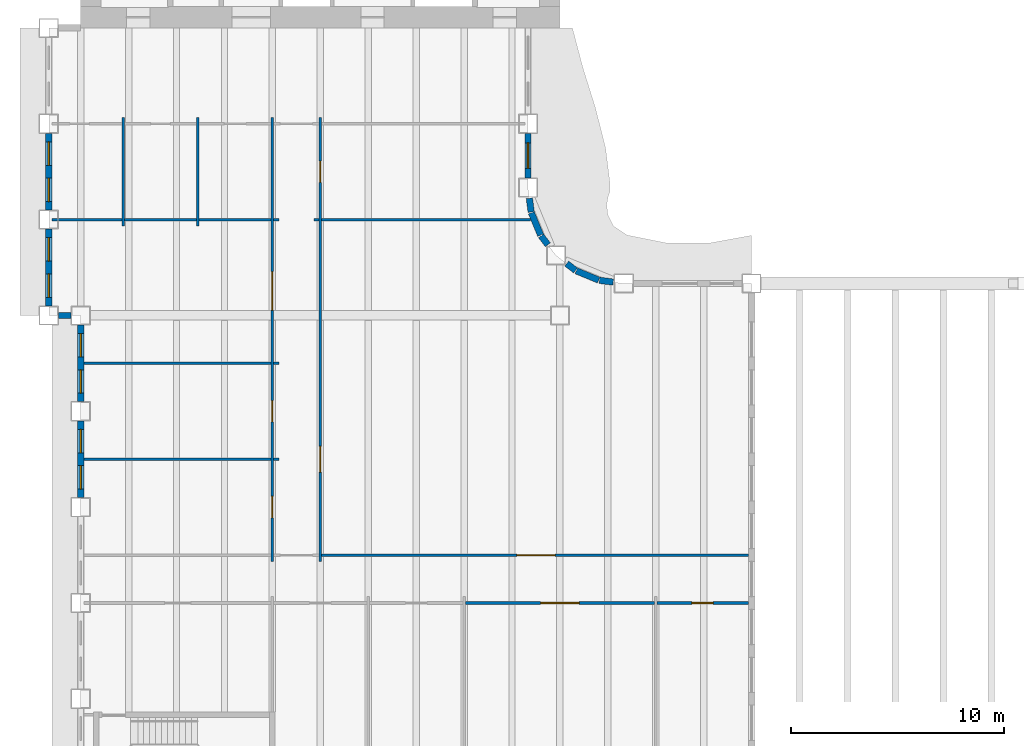
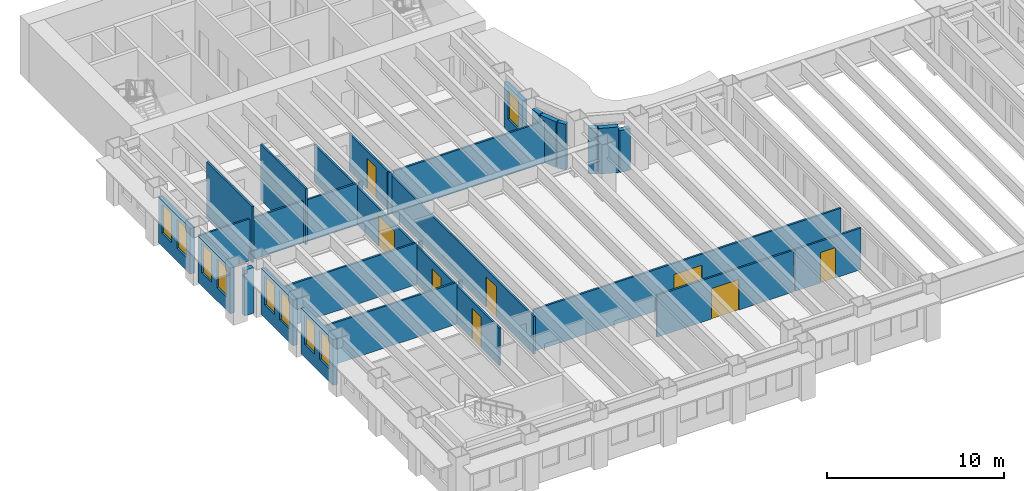
# One storey, part 4 of 13: 29 walls, 9 windows, 8 doors, 17 openings.
"""IFC4 building model written with IfcOpenShell, lengths in metres."""

from ifc_helpers import new_model, si_unit, direction, frame, frame_2d, origin, place, context, subcontext, project, spatial, rectangle, extrude, material, layer, layer_set, type_object, element, fill, save


model = new_model("IFC4")

# Units and contexts
model_context = context("Model", 3, precision=1e-05, world=origin(), true_north=direction((0.0, 1.0)))
body_context = subcontext(model_context, "Body", "Model", "MODEL_VIEW")
ifc_project = project(units=[si_unit("LENGTHUNIT", "METRE"), si_unit("AREAUNIT", "SQUARE_METRE"), si_unit("VOLUMEUNIT", "CUBIC_METRE"), si_unit("PLANEANGLEUNIT", "RADIAN"), si_unit("MASSUNIT", "GRAM", prefix="KILO")], contexts=[model_context])

# Site, building, storey
site_placement = place(None, origin())
site = spatial("IfcSite", under=ifc_project, at=site_placement, CompositionType="ELEMENT")
building_placement = place(site_placement, origin())
building = spatial("IfcBuilding", under=site, at=building_placement, Name="Sennacour Bend Tower", CompositionType="ELEMENT")
storey_placement = place(building_placement, frame((0.0, 0.0, 147.0)))
storey = spatial("IfcBuildingStorey", under=building, at=storey_placement, Name="L33", CompositionType="ELEMENT", Elevation=147.0)

# Walls
ifc_material_1 = material(Name="Plasterboard partition on steel studs", Category="steel")
ifc_layer_1 = layer(ifc_material_1, 0.1201171875, Name="Plasterboard partition on steel studs", Category="steel")
ifc_layer_set_1 = layer_set([ifc_layer_1], Name="Plasterboard partition on steel studs")
wall_type_1 = type_object("IfcWallType", Name="Partition 120", PredefinedType="PARTITIONING", material=ifc_layer_set_1)
for number, where, z_axis, x_axis, name in (
    (1, (2.0, 26.699951171875, 0.0), (0.0, 0.0, 1.0), (0.0, 1.0, 0.0), "P-L33-W004a"),
    (2, (5.5, 26.699951171875, 0.0), (0.0, 0.0, 1.0), (0.0, 1.0, 0.0), "P-L33-W008a"),
):
    element("IfcWall", number, at=place(storey_placement, frame(where, z_axis=z_axis, x_axis=x_axis)), inside=storey, type_object=wall_type_1, Name=name, PredefinedType="PARTITIONING", context=body_context, shape_type="SweptSolid", body=[
        extrude(rectangle(XDim=5.10009765625, YDim=0.1201171875, at=frame_2d((2.550048828125, 0.0))), origin(), (0.0, 0.0, 1.0), 3.85009765625),
    ])

# Wall, openings, doors
wall_1_placement = place(storey_placement, frame((9.0, 10.949951171875, 0.0), z_axis=(0.0, 0.0, 1.0), x_axis=(0.0, 1.0, 0.0)))
wall_1 = element("IfcWall", 3, at=wall_1_placement, inside=storey, type_object=wall_type_1, Name="P-L33-W013a", PredefinedType="PARTITIONING", context=body_context, shape_type="SweptSolid", body=[
    extrude(rectangle(XDim=20.85009765625, YDim=0.1201171875, at=frame_2d((10.425048828125, 0.0))), origin(), (0.0, 0.0, 1.0), 2.60009765625),
])
opening_1_placement = place(wall_1_placement, frame((2.050048828125, 0.0, 0.0)))
opening_1 = element("IfcOpeningElement", 4, at=opening_1_placement, cuts=wall_1, Name="Opening OD2", PredefinedType="OPENING", context=body_context, shape_type="SweptSolid", body=[
    extrude(rectangle(XDim=1.0, YDim=2.10009765625, at=frame_2d((0.5, 1.050048828125))), frame((0.0, 0.070068359375, 0.0), z_axis=(0.0, -1.0, 0.0), x_axis=(1.0, 0.0, 0.0)), (0.0, 0.0, 1.0), 0.14013671875),
])
opening_2_placement = place(wall_1_placement, frame((6.550048828125, 0.0, 0.0)))
opening_2 = element("IfcOpeningElement", 5, at=opening_2_placement, cuts=wall_1, Name="Opening OD2", PredefinedType="OPENING", context=body_context, shape_type="SweptSolid", body=[
    extrude(rectangle(XDim=1.0, YDim=2.10009765625, at=frame_2d((0.5, 1.050048828125))), frame((0.0, 0.070068359375, 0.0), z_axis=(0.0, -1.0, 0.0), x_axis=(1.0, 0.0, 0.0)), (0.0, 0.0, 1.0), 0.14013671875),
])
opening_3_placement = place(wall_1_placement, frame((11.804931640625, 0.0, 0.0)))
opening_3 = element("IfcOpeningElement", 6, at=opening_3_placement, cuts=wall_1, Name="Opening OD3", PredefinedType="OPENING", context=body_context, shape_type="SweptSolid", body=[
    extrude(rectangle(XDim=1.800048828125, YDim=2.10009765625, at=frame_2d((0.89990234375, 1.050048828125))), frame((0.0, 0.070068359375, 0.0), z_axis=(0.0, -1.0, 0.0), x_axis=(1.0, 0.0, 0.0)), (0.0, 0.0, 1.0), 0.14013671875),
])
ifc_material_2 = material(Name="Timber", Category="wood")
door_type_1 = type_object("IfcDoorType", Name="DR-OFFICE-1000", OperationType="NOTDEFINED", PredefinedType="DOOR", material=ifc_material_2)
door_1_placement = place(opening_1_placement, origin())
door_1 = element("IfcDoor", 7, at=door_1_placement, inside=storey, type_object=door_type_1, Name="Door", OperationType="SINGLE_SWING_LEFT", OverallHeight=2.10009765625, OverallWidth=1.0, PredefinedType="DOOR", context=body_context, shape_type="SweptSolid", body=[
    extrude(rectangle(XDim=1.0, YDim=2.10009765625, at=frame_2d((0.5, 1.050048828125))), frame((0.0, 0.02490234375, 0.0), z_axis=(0.0, -1.0, 0.0), x_axis=(1.0, 0.0, 0.0)), (0.0, 0.0, 1.0), 0.050048828125),
])
fill(opening_1, door_1)
door_2_placement = place(opening_2_placement, origin())
door_2 = element("IfcDoor", 8, at=door_2_placement, inside=storey, type_object=door_type_1, Name="Door", OperationType="SINGLE_SWING_LEFT", OverallHeight=2.10009765625, OverallWidth=1.0, PredefinedType="DOOR", context=body_context, shape_type="SweptSolid", body=[
    extrude(rectangle(XDim=1.0, YDim=2.10009765625, at=frame_2d((0.5, 1.050048828125))), frame((0.0, 0.02490234375, 0.0), z_axis=(0.0, -1.0, 0.0), x_axis=(1.0, 0.0, 0.0)), (0.0, 0.0, 1.0), 0.050048828125),
])
fill(opening_2, door_2)
door_type_2 = type_object("IfcDoorType", Name="DR-OFFICE-1800", OperationType="NOTDEFINED", PredefinedType="DOOR", material=ifc_material_2)
door_3_placement = place(opening_3_placement, origin())
door_3 = element("IfcDoor", 9, at=door_3_placement, inside=storey, type_object=door_type_2, Name="Door", OperationType="DOUBLE_DOOR_SINGLE_SWING", OverallHeight=2.10009765625, OverallWidth=1.800048828125, PredefinedType="DOOR", context=body_context, shape_type="SweptSolid", body=[
    extrude(rectangle(XDim=1.800048828125, YDim=2.10009765625, at=frame_2d((0.89990234375, 1.050048828125))), frame((0.0, 0.02490234375, 0.0), z_axis=(0.0, -1.0, 0.0), x_axis=(1.0, 0.0, 0.0)), (0.0, 0.0, 1.0), 0.050048828125),
])
fill(opening_3, door_3)

wall_2_placement = place(storey_placement, frame((11.25, 10.949951171875, 0.0), z_axis=(0.0, 0.0, 1.0), x_axis=(0.0, 1.0, 0.0)))
wall_2 = element("IfcWall", 10, at=wall_2_placement, inside=storey, type_object=wall_type_1, Name="P-L33-W016a", PredefinedType="PARTITIONING", context=body_context, shape_type="SweptSolid", body=[
    extrude(rectangle(XDim=20.85009765625, YDim=0.1201171875, at=frame_2d((10.425048828125, 0.0))), origin(), (0.0, 0.0, 1.0), 2.60009765625),
])
opening_4_placement = place(wall_2_placement, frame((17.800048828125, 0.0, 0.0)))
opening_4 = element("IfcOpeningElement", 11, at=opening_4_placement, cuts=wall_2, Name="Opening OD2", PredefinedType="OPENING", context=body_context, shape_type="SweptSolid", body=[
    extrude(rectangle(XDim=1.0, YDim=2.10009765625, at=frame_2d((0.5, 1.050048828125))), frame((0.0, 0.070068359375, 0.0), z_axis=(0.0, -1.0, 0.0), x_axis=(1.0, 0.0, 0.0)), (0.0, 0.0, 1.0), 0.14013671875),
])
opening_5_placement = place(wall_2_placement, frame((4.199951171875, 0.0, 0.0)))
opening_5 = element("IfcOpeningElement", 12, at=opening_5_placement, cuts=wall_2, Name="Opening OD", PredefinedType="OPENING", context=body_context, shape_type="SweptSolid", body=[
    extrude(rectangle(XDim=1.199951171875, YDim=2.10009765625, at=frame_2d((0.60009765625, 1.050048828125))), frame((0.0, 0.070068359375, 0.0), z_axis=(0.0, -1.0, 0.0), x_axis=(1.0, 0.0, 0.0)), (0.0, 0.0, 1.0), 0.14013671875),
])
door_4_placement = place(opening_4_placement, origin())
door_4 = element("IfcDoor", 13, at=door_4_placement, inside=storey, type_object=door_type_1, Name="Door", OperationType="SINGLE_SWING_RIGHT", OverallHeight=2.10009765625, OverallWidth=1.0, PredefinedType="DOOR", context=body_context, shape_type="SweptSolid", body=[
    extrude(rectangle(XDim=1.0, YDim=2.10009765625, at=frame_2d((0.5, 1.050048828125))), frame((0.0, 0.02490234375, 0.0), z_axis=(0.0, -1.0, 0.0), x_axis=(1.0, 0.0, 0.0)), (0.0, 0.0, 1.0), 0.050048828125),
])
fill(opening_4, door_4)
door_type_3 = type_object("IfcDoorType", Name="DR-OFFICE-1200", OperationType="NOTDEFINED", PredefinedType="DOOR", material=ifc_material_2)
door_5_placement = place(opening_5_placement, origin())
door_5 = element("IfcDoor", 14, at=door_5_placement, inside=storey, type_object=door_type_3, Name="Door", OperationType="SINGLE_SWING_LEFT", OverallHeight=2.10009765625, OverallWidth=1.199951171875, PredefinedType="DOOR", context=body_context, shape_type="SweptSolid", body=[
    extrude(rectangle(XDim=1.199951171875, YDim=2.10009765625, at=frame_2d((0.60009765625, 1.050048828125))), frame((0.0, 0.02490234375, 0.0), z_axis=(0.0, -1.0, 0.0), x_axis=(1.0, 0.0, 0.0)), (0.0, 0.0, 1.0), 0.050048828125),
])
fill(opening_5, door_5)

# Wall, opening, door
wall_3_placement = place(storey_placement, frame((18.06005859375, 9.0, 0.0), z_axis=(0.0, 0.0, 1.0), x_axis=(1.0, 0.0, 0.0)))
wall_3 = element("IfcWall", 15, at=wall_3_placement, inside=storey, type_object=wall_type_1, Name="P-L33-W056ad", PredefinedType="PARTITIONING", context=body_context, shape_type="SweptSolid", body=[
    extrude(rectangle(XDim=8.8798828125, YDim=0.1201171875, at=frame_2d((4.43994140625, 0.0))), origin(), (0.0, 0.0, 1.0), 2.8701171875),
])
opening_6_placement = place(wall_3_placement, frame((3.539794921875, 0.0, 0.0)))
opening_6 = element("IfcOpeningElement", 16, at=opening_6_placement, cuts=wall_3, Name="Opening OD3", PredefinedType="OPENING", context=body_context, shape_type="SweptSolid", body=[
    extrude(rectangle(XDim=1.800048828125, YDim=2.10009765625, at=frame_2d((0.89990234375, 1.050048828125))), frame((0.0, 0.070068359375, 0.0), z_axis=(0.0, -1.0, 0.0), x_axis=(1.0, 0.0, 0.0)), (0.0, 0.0, 1.0), 0.14013671875),
])
door_6_placement = place(opening_6_placement, origin())
door_6 = element("IfcDoor", 17, at=door_6_placement, inside=storey, type_object=door_type_2, Name="Door", OperationType="DOUBLE_DOOR_SINGLE_SWING", OverallHeight=2.10009765625, OverallWidth=1.800048828125, PredefinedType="DOOR", context=body_context, shape_type="SweptSolid", body=[
    extrude(rectangle(XDim=1.800048828125, YDim=2.10009765625, at=frame_2d((0.89990234375, 1.050048828125))), frame((0.0, 0.02490234375, 0.0), z_axis=(0.0, -1.0, 0.0), x_axis=(1.0, 0.0, 0.0)), (0.0, 0.0, 1.0), 0.050048828125),
])
fill(opening_6, door_6)

wall_4_placement = place(storey_placement, frame((27.06005859375, 9.0, 0.0), z_axis=(0.0, 0.0, 1.0), x_axis=(1.0, 0.0, 0.0)))
wall_4 = element("IfcWall", 18, at=wall_4_placement, inside=storey, type_object=wall_type_1, Name="P-L33-W056ae", PredefinedType="PARTITIONING", context=body_context, shape_type="SweptSolid", body=[
    extrude(rectangle(XDim=4.2900390625, YDim=0.1201171875, at=frame_2d((2.14501953125, 0.0))), origin(), (0.0, 0.0, 1.0), 2.8701171875),
])
opening_7_placement = place(wall_4_placement, frame((1.635009765625, 0.0, 0.0)))
opening_7 = element("IfcOpeningElement", 19, at=opening_7_placement, cuts=wall_4, Name="Opening OD2", PredefinedType="OPENING", context=body_context, shape_type="SweptSolid", body=[
    extrude(rectangle(XDim=1.0, YDim=2.10009765625, at=frame_2d((0.5, 1.050048828125))), frame((0.0, 0.070068359375, 0.0), z_axis=(0.0, -1.0, 0.0), x_axis=(1.0, 0.0, 0.0)), (0.0, 0.0, 1.0), 0.14013671875),
])
door_7_placement = place(opening_7_placement, origin())
door_7 = element("IfcDoor", 20, at=door_7_placement, inside=storey, type_object=door_type_1, Name="Door", OperationType="SINGLE_SWING_LEFT", OverallHeight=2.10009765625, OverallWidth=1.0, PredefinedType="DOOR", context=body_context, shape_type="SweptSolid", body=[
    extrude(rectangle(XDim=1.0, YDim=2.10009765625, at=frame_2d((0.5, 1.050048828125))), frame((0.0, 0.02490234375, 0.0), z_axis=(0.0, -1.0, 0.0), x_axis=(1.0, 0.0, 0.0)), (0.0, 0.0, 1.0), 0.050048828125),
])
fill(opening_7, door_7)

wall_5_placement = place(storey_placement, frame((11.31005859375, 11.25, 0.0), z_axis=(0.0, 0.0, 1.0), x_axis=(1.0, 0.0, 0.0)))
wall_5 = element("IfcWall", 21, at=wall_5_placement, inside=storey, type_object=wall_type_1, Name="P-L33-W060ac", PredefinedType="PARTITIONING", context=body_context, shape_type="SweptSolid", body=[
    extrude(rectangle(XDim=20.0400390625, YDim=0.1201171875, at=frame_2d((10.02001953125, 0.0))), origin(), (0.0, 0.0, 1.0), 2.8701171875),
])
opening_8_placement = place(wall_5_placement, frame((9.164794921875, 0.0, 0.0)))
opening_8 = element("IfcOpeningElement", 22, at=opening_8_placement, cuts=wall_5, Name="Opening OD3", PredefinedType="OPENING", context=body_context, shape_type="SweptSolid", body=[
    extrude(rectangle(XDim=1.800048828125, YDim=2.10009765625, at=frame_2d((0.89990234375, 1.050048828125))), frame((0.0, 0.070068359375, 0.0), z_axis=(0.0, -1.0, 0.0), x_axis=(1.0, 0.0, 0.0)), (0.0, 0.0, 1.0), 0.14013671875),
])
door_8_placement = place(opening_8_placement, origin())
door_8 = element("IfcDoor", 23, at=door_8_placement, inside=storey, type_object=door_type_2, Name="Door", OperationType="DOUBLE_DOOR_SINGLE_SWING", OverallHeight=2.10009765625, OverallWidth=1.800048828125, PredefinedType="DOOR", context=body_context, shape_type="SweptSolid", body=[
    extrude(rectangle(XDim=1.800048828125, YDim=2.10009765625, at=frame_2d((0.89990234375, 1.050048828125))), frame((0.0, 0.02490234375, 0.0), z_axis=(0.0, -1.0, 0.0), x_axis=(1.0, 0.0, 0.0)), (0.0, 0.0, 1.0), 0.050048828125),
])
fill(opening_8, door_8)

# Walls
wall_6_placement = place(storey_placement, frame((0.14990234375, 15.75, 0.0), z_axis=(0.0, 0.0, 1.0), x_axis=(1.0, 0.0, 0.0)))
element("IfcWall", 24, at=wall_6_placement, inside=storey, type_object=wall_type_1, Name="P-L33-W065aa", PredefinedType="PARTITIONING", context=body_context, shape_type="SweptSolid", body=[
    extrude(rectangle(XDim=8.7900390625, YDim=0.1201171875, at=frame_2d((4.39501953125, 0.0))), origin(), (0.0, 0.0, 1.0), 2.8701171875),
])
wall_7_placement = place(storey_placement, frame((9.06005859375, 15.75, 0.0), z_axis=(0.0, 0.0, 1.0), x_axis=(1.0, 0.0, 0.0)))
element("IfcWall", 25, at=wall_7_placement, inside=storey, type_object=wall_type_1, Name="P-L33-W065ab", PredefinedType="PARTITIONING", context=body_context, shape_type="SweptSolid", body=[
    extrude(rectangle(XDim=0.239990234375, YDim=0.1201171875, at=frame_2d((0.1201171875, 0.0))), origin(), (0.0, 0.0, 1.0), 2.8701171875),
])
wall_8_placement = place(storey_placement, frame((0.14990234375, 20.25, 0.0), z_axis=(0.0, 0.0, 1.0), x_axis=(1.0, 0.0, 0.0)))
element("IfcWall", 26, at=wall_8_placement, inside=storey, type_object=wall_type_1, Name="P-L33-W070aa", PredefinedType="PARTITIONING", context=body_context, shape_type="SweptSolid", body=[
    extrude(rectangle(XDim=8.7900390625, YDim=0.1201171875, at=frame_2d((4.39501953125, 0.0))), origin(), (0.0, 0.0, 1.0), 2.8701171875),
])
wall_9_placement = place(storey_placement, frame((9.06005859375, 20.25, 0.0), z_axis=(0.0, 0.0, 1.0), x_axis=(1.0, 0.0, 0.0)))
element("IfcWall", 27, at=wall_9_placement, inside=storey, type_object=wall_type_1, Name="P-L33-W070ab", PredefinedType="PARTITIONING", context=body_context, shape_type="SweptSolid", body=[
    extrude(rectangle(XDim=0.239990234375, YDim=0.1201171875, at=frame_2d((0.1201171875, 0.0))), origin(), (0.0, 0.0, 1.0), 2.8701171875),
])
wall_10_placement = place(storey_placement, frame((-1.35009765625, 27.0, 0.0), z_axis=(0.0, 0.0, 1.0), x_axis=(1.0, 0.0, 0.0)))
element("IfcWall", 28, at=wall_10_placement, inside=storey, type_object=wall_type_1, Name="P-L33-W074aa", PredefinedType="PARTITIONING", context=body_context, shape_type="SweptSolid", body=[
    extrude(rectangle(XDim=3.2900390625, YDim=0.1201171875, at=frame_2d((1.64501953125, 0.0))), origin(), (0.0, 0.0, 1.0), 2.8701171875),
])
for number, where, z_axis, x_axis, name in (
    (29, (2.06005859375, 27.0, 0.0), (0.0, 0.0, 1.0), (1.0, 0.0, 0.0), "P-L33-W074ab"),
    (30, (5.56005859375, 27.0, 0.0), (0.0, 0.0, 1.0), (1.0, 0.0, 0.0), "P-L33-W074ac"),
):
    element("IfcWall", number, at=place(storey_placement, frame(where, z_axis=z_axis, x_axis=x_axis)), inside=storey, type_object=wall_type_1, Name=name, PredefinedType="PARTITIONING", context=body_context, shape_type="SweptSolid", body=[
        extrude(rectangle(XDim=3.3798828125, YDim=0.1201171875, at=frame_2d((1.68994140625, 0.0))), origin(), (0.0, 0.0, 1.0), 2.8701171875),
    ])
for number, where, z_axis, x_axis, name in (
    (31, (9.06005859375, 27.0, 0.0), (0.0, 0.0, 1.0), (1.0, 0.0, 0.0), "P-L33-W074ad"),
    (32, (10.949951171875, 27.0, 0.0), (0.0, 0.0, 1.0), (1.0, 0.0, 0.0), "P-L33-W075aa"),
):
    element("IfcWall", number, at=place(storey_placement, frame(where, z_axis=z_axis, x_axis=x_axis)), inside=storey, type_object=wall_type_1, Name=name, PredefinedType="PARTITIONING", context=body_context, shape_type="SweptSolid", body=[
        extrude(rectangle(XDim=0.239990234375, YDim=0.1201171875, at=frame_2d((0.1201171875, 0.0))), origin(), (0.0, 0.0, 1.0), 2.8701171875),
    ])
wall_11_placement = place(storey_placement, frame((11.31005859375, 27.0, 0.0), z_axis=(0.0, 0.0, 1.0), x_axis=(1.0, 0.0, 0.0)))
element("IfcWall", 33, at=wall_11_placement, inside=storey, type_object=wall_type_1, Name="P-L33-W075ab", PredefinedType="PARTITIONING", context=body_context, shape_type="SweptSolid", body=[
    extrude(rectangle(XDim=9.81982421875, YDim=0.1201171875, at=frame_2d((4.909912109375, 0.0))), origin(), (0.0, 0.0, 1.0), 2.8701171875),
])
ifc_material_3 = material(Name="Warm limestone cladding", Category="masonry")
ifc_layer_2 = layer(ifc_material_3, 0.050048828125, Name="Warm limestone cladding", Category="masonry")
ifc_material_4 = material(Name="Precast concrete C40/50", Category="concrete")
ifc_layer_3 = layer(ifc_material_4, 0.25, Name="Precast concrete C40/50", Category="concrete")
ifc_layer_set_2 = layer_set([ifc_layer_2, ifc_layer_3], Name="Precast concrete C40/50 with limestone cladding")
wall_type_2 = type_object("IfcWallType", Name="STONE-CLAD PRECAST SPANDREL 300", PredefinedType="STANDARD", material=ifc_layer_set_2)
wall_12_placement = place(storey_placement, frame((24.99951171875, 24.06591796875, 0.0), z_axis=(0.0, 0.0, 1.0), x_axis=(-0.991423590996, 0.130687655177, 0.0)))
element("IfcWall", 34, at=wall_12_placement, inside=storey, type_object=wall_type_2, Name="Stone spandrel and pier wall L33 09.00", PredefinedType="STANDARD", context=body_context, shape_type="SweptSolid", body=[
    extrude(rectangle(XDim=0.650146484375, YDim=0.300048828125, at=frame_2d((0.3251953125, 0.0))), origin(), (0.0, 0.0, 1.0), 2.8701171875),
])
wall_13_placement = place(storey_placement, frame((24.317138671875, 24.160888671875, 0.0), z_axis=(0.0, 0.0, 1.0), x_axis=(-0.923914616768, 0.382598720491, 0.0)))
element("IfcWall", 35, at=wall_13_placement, inside=storey, type_object=wall_type_2, Name="Stone spandrel and pier wall L33 10.00", PredefinedType="STANDARD", context=body_context, shape_type="SweptSolid", body=[
    extrude(rectangle(XDim=1.13525390625, YDim=0.300048828125, at=frame_2d((0.567626953125, 0.0))), origin(), (0.0, 0.0, 1.0), 3.14892578125),
])
for number, where, z_axis, x_axis, name in (
    (36, (23.234375, 24.614990234375, 0.0), (0.0, 0.0, 1.0), (-0.793523857856, 0.608539141726, 0.0), "Stone spandrel and pier wall L33 11.00"),
    (37, (21.933837890625, 25.818603515625, 0.0), (0.0, 0.0, 1.0), (-0.608539141726, 0.793523857856, 0.0), "Stone spandrel and pier wall L33 12.00"),
):
    element("IfcWall", number, at=place(storey_placement, frame(where, z_axis=z_axis, x_axis=x_axis)), inside=storey, type_object=wall_type_2, Name=name, PredefinedType="STANDARD", context=body_context, shape_type="SweptSolid", body=[
        extrude(rectangle(XDim=0.52392578125, YDim=0.300048828125, at=frame_2d((0.261962890625, 0.0))), origin(), (0.0, 0.0, 1.0), 3.14892578125),
    ])
wall_14_placement = place(storey_placement, frame((21.59521484375, 26.268310546875, 0.0), z_axis=(0.0, 0.0, 1.0), x_axis=(-0.382598720491, 0.923914616768, 0.0)))
element("IfcWall", 38, at=wall_14_placement, inside=storey, type_object=wall_type_2, Name="Stone spandrel and pier wall L33 13.00", PredefinedType="STANDARD", context=body_context, shape_type="SweptSolid", body=[
    extrude(rectangle(XDim=1.13525390625, YDim=0.300048828125, at=frame_2d((0.567626953125, 0.0))), origin(), (0.0, 0.0, 1.0), 3.14892578125),
])
wall_15_placement = place(storey_placement, frame((21.15087890625, 27.35498046875, 0.0), z_axis=(0.0, 0.0, 1.0), x_axis=(-0.130687655177, 0.991423590996, 0.0)))
element("IfcWall", 39, at=wall_15_placement, inside=storey, type_object=wall_type_2, Name="Stone spandrel and pier wall L33 14.00", PredefinedType="STANDARD", context=body_context, shape_type="SweptSolid", body=[
    extrude(rectangle(XDim=0.650146484375, YDim=0.300048828125, at=frame_2d((0.3251953125, 0.0))), origin(), (0.0, 0.0, 1.0), 3.14892578125),
])

# Wall, opening, window
wall_16_placement = place(storey_placement, frame((21.0, 28.949951171875, 0.0), z_axis=(0.0, 0.0, 1.0), x_axis=(0.0, 1.0, 0.0)))
wall_16 = element("IfcWall", 40, at=wall_16_placement, inside=storey, type_object=wall_type_2, Name="Stone spandrel and pier wall L33 15.00", PredefinedType="STANDARD", context=body_context, shape_type="SweptSolid", body=[
    extrude(rectangle(XDim=2.10009765625, YDim=0.300048828125, at=frame_2d((1.050048828125, 0.0))), origin(), (0.0, 0.0, 1.0), 3.14892578125),
])
opening_9_placement = place(wall_16_placement, frame((0.449951171875, 0.0, 0.89990234375)))
opening_9 = element("IfcOpeningElement", 41, at=opening_9_placement, cuts=wall_16, Name="Opening W14", PredefinedType="OPENING", context=body_context, shape_type="SweptSolid", body=[
    extrude(rectangle(XDim=1.199951171875, YDim=2.0, at=frame_2d((0.60009765625, 1.0))), frame((0.0, 0.16015625, 0.0), z_axis=(0.0, -1.0, 0.0), x_axis=(1.0, 0.0, 0.0)), (0.0, 0.0, 1.0), 0.320068359375),
])
ifc_material_5 = material(Name="Clear low-emissivity glass", Category="glass")
window_type_1 = type_object("IfcWindowType", Name="WIN-RIBBON-1200x2000", PartitioningType="SINGLE_PANEL", PredefinedType="WINDOW", material=ifc_material_5)
window_1_placement = place(opening_9_placement, origin())
window_1 = element("IfcWindow", 42, at=window_1_placement, inside=storey, type_object=window_type_1, Name="Ribbon window L33 15.00", OverallHeight=2.0, OverallWidth=1.199951171875, PartitioningType="SINGLE_PANEL", PredefinedType="WINDOW", context=body_context, shape_type="SweptSolid", body=[
    extrude(rectangle(XDim=1.199951171875, YDim=2.0, at=frame_2d((0.60009765625, 1.0))), frame((0.0, 0.030029296875, 0.0), z_axis=(0.0, -1.0, 0.0), x_axis=(1.0, 0.0, 0.0)), (0.0, 0.0, 1.0), 0.06005859375),
])
fill(opening_9, window_1)

# Wall, openings, windows
wall_17_placement = place(storey_placement, frame((-1.5, 31.050048828125, 0.0), z_axis=(0.0, 0.0, 1.0), x_axis=(0.0, -1.0, 0.0)))
wall_17 = element("IfcWall", 43, at=wall_17_placement, inside=storey, type_object=wall_type_2, Name="Stone spandrel and pier wall L33 21.01", PredefinedType="STANDARD", context=body_context, shape_type="SweptSolid", body=[
    extrude(rectangle(XDim=3.60009765625, YDim=0.300048828125, at=frame_2d((1.800048828125, 0.0))), origin(), (0.0, 0.0, 1.0), 3.14892578125),
])
opening_10_placement = place(wall_17_placement, frame((0.39990234375, 0.0, 0.89990234375)))
opening_10 = element("IfcOpeningElement", 44, at=opening_10_placement, cuts=wall_17, Name="Opening W19", PredefinedType="OPENING", context=body_context, shape_type="SweptSolid", body=[
    extrude(rectangle(XDim=1.10009765625, YDim=2.0, at=frame_2d((0.550048828125, 1.0))), frame((0.0, 0.16015625, 0.0), z_axis=(0.0, -1.0, 0.0), x_axis=(1.0, 0.0, 0.0)), (0.0, 0.0, 1.0), 0.320068359375),
])
opening_11_placement = place(wall_17_placement, frame((2.10009765625, 0.0, 0.89990234375)))
opening_11 = element("IfcOpeningElement", 45, at=opening_11_placement, cuts=wall_17, Name="Opening W19", PredefinedType="OPENING", context=body_context, shape_type="SweptSolid", body=[
    extrude(rectangle(XDim=1.10009765625, YDim=2.0, at=frame_2d((0.550048828125, 1.0))), frame((0.0, 0.16015625, 0.0), z_axis=(0.0, -1.0, 0.0), x_axis=(1.0, 0.0, 0.0)), (0.0, 0.0, 1.0), 0.320068359375),
])
window_type_2 = type_object("IfcWindowType", Name="WIN-RIBBON-1100x2000", PartitioningType="SINGLE_PANEL", PredefinedType="WINDOW", material=ifc_material_5)
window_2_placement = place(opening_10_placement, origin())
window_2 = element("IfcWindow", 46, at=window_2_placement, inside=storey, type_object=window_type_2, Name="Ribbon window L33 21.01.0", OverallHeight=2.0, OverallWidth=1.10009765625, PartitioningType="SINGLE_PANEL", PredefinedType="WINDOW", context=body_context, shape_type="SweptSolid", body=[
    extrude(rectangle(XDim=1.10009765625, YDim=2.0, at=frame_2d((0.550048828125, 1.0))), frame((0.0, 0.030029296875, 0.0), z_axis=(0.0, -1.0, 0.0), x_axis=(1.0, 0.0, 0.0)), (0.0, 0.0, 1.0), 0.06005859375),
])
fill(opening_10, window_2)
window_3_placement = place(opening_11_placement, origin())
window_3 = element("IfcWindow", 47, at=window_3_placement, inside=storey, type_object=window_type_2, Name="Ribbon window L33 21.01.1", OverallHeight=2.0, OverallWidth=1.10009765625, PartitioningType="SINGLE_PANEL", PredefinedType="WINDOW", context=body_context, shape_type="SweptSolid", body=[
    extrude(rectangle(XDim=1.10009765625, YDim=2.0, at=frame_2d((0.550048828125, 1.0))), frame((0.0, 0.030029296875, 0.0), z_axis=(0.0, -1.0, 0.0), x_axis=(1.0, 0.0, 0.0)), (0.0, 0.0, 1.0), 0.06005859375),
])
fill(opening_11, window_3)

wall_18_placement = place(storey_placement, frame((-1.5, 26.550048828125, 0.0), z_axis=(0.0, 0.0, 1.0), x_axis=(0.0, -1.0, 0.0)))
wall_18 = element("IfcWall", 48, at=wall_18_placement, inside=storey, type_object=wall_type_2, Name="Stone spandrel and pier wall L33 21.02", PredefinedType="STANDARD", context=body_context, shape_type="SweptSolid", body=[
    extrude(rectangle(XDim=3.60009765625, YDim=0.300048828125, at=frame_2d((1.800048828125, 0.0))), origin(), (0.0, 0.0, 1.0), 3.14892578125),
])
opening_12_placement = place(wall_18_placement, frame((0.39990234375, 0.0, 0.89990234375)))
opening_12 = element("IfcOpeningElement", 49, at=opening_12_placement, cuts=wall_18, Name="Opening W19", PredefinedType="OPENING", context=body_context, shape_type="SweptSolid", body=[
    extrude(rectangle(XDim=1.10009765625, YDim=2.0, at=frame_2d((0.550048828125, 1.0))), frame((0.0, 0.16015625, 0.0), z_axis=(0.0, -1.0, 0.0), x_axis=(1.0, 0.0, 0.0)), (0.0, 0.0, 1.0), 0.320068359375),
])
opening_13_placement = place(wall_18_placement, frame((2.10009765625, 0.0, 0.89990234375)))
opening_13 = element("IfcOpeningElement", 50, at=opening_13_placement, cuts=wall_18, Name="Opening W19", PredefinedType="OPENING", context=body_context, shape_type="SweptSolid", body=[
    extrude(rectangle(XDim=1.10009765625, YDim=2.0, at=frame_2d((0.550048828125, 1.0))), frame((0.0, 0.16015625, 0.0), z_axis=(0.0, -1.0, 0.0), x_axis=(1.0, 0.0, 0.0)), (0.0, 0.0, 1.0), 0.320068359375),
])
window_4_placement = place(opening_12_placement, origin())
window_4 = element("IfcWindow", 51, at=window_4_placement, inside=storey, type_object=window_type_2, Name="Ribbon window L33 21.02.0", OverallHeight=2.0, OverallWidth=1.10009765625, PartitioningType="SINGLE_PANEL", PredefinedType="WINDOW", context=body_context, shape_type="SweptSolid", body=[
    extrude(rectangle(XDim=1.10009765625, YDim=2.0, at=frame_2d((0.550048828125, 1.0))), frame((0.0, 0.030029296875, 0.0), z_axis=(0.0, -1.0, 0.0), x_axis=(1.0, 0.0, 0.0)), (0.0, 0.0, 1.0), 0.06005859375),
])
fill(opening_12, window_4)
window_5_placement = place(opening_13_placement, origin())
window_5 = element("IfcWindow", 52, at=window_5_placement, inside=storey, type_object=window_type_2, Name="Ribbon window L33 21.02.1", OverallHeight=2.0, OverallWidth=1.10009765625, PartitioningType="SINGLE_PANEL", PredefinedType="WINDOW", context=body_context, shape_type="SweptSolid", body=[
    extrude(rectangle(XDim=1.10009765625, YDim=2.0, at=frame_2d((0.550048828125, 1.0))), frame((0.0, 0.030029296875, 0.0), z_axis=(0.0, -1.0, 0.0), x_axis=(1.0, 0.0, 0.0)), (0.0, 0.0, 1.0), 0.06005859375),
])
fill(opening_13, window_5)

# Wall
wall_19_placement = place(storey_placement, frame((-1.050048828125, 22.5, 0.0), z_axis=(0.0, 0.0, 1.0), x_axis=(1.0, 0.0, 0.0)))
element("IfcWall", 53, at=wall_19_placement, inside=storey, type_object=wall_type_2, Name="Stone spandrel and pier wall L33 22.00", PredefinedType="STANDARD", context=body_context, shape_type="SweptSolid", body=[
    extrude(rectangle(XDim=0.60009765625, YDim=0.300048828125, at=frame_2d((0.300048828125, 0.0))), origin(), (0.0, 0.0, 1.0), 3.14892578125),
])

# Wall, openings, windows
wall_20_placement = place(storey_placement, frame((0.0, 22.050048828125, 0.0), z_axis=(0.0, 0.0, 1.0), x_axis=(0.0, -1.0, 0.0)))
wall_20 = element("IfcWall", 54, at=wall_20_placement, inside=storey, type_object=wall_type_2, Name="Stone spandrel and pier wall L33 23.00", PredefinedType="STANDARD", context=body_context, shape_type="SweptSolid", body=[
    extrude(rectangle(XDim=3.60009765625, YDim=0.300048828125, at=frame_2d((1.800048828125, 0.0))), origin(), (0.0, 0.0, 1.0), 3.14892578125),
])
opening_14_placement = place(wall_20_placement, frame((0.39990234375, 0.0, 0.89990234375)))
opening_14 = element("IfcOpeningElement", 55, at=opening_14_placement, cuts=wall_20, Name="Opening W19", PredefinedType="OPENING", context=body_context, shape_type="SweptSolid", body=[
    extrude(rectangle(XDim=1.10009765625, YDim=2.0, at=frame_2d((0.550048828125, 1.0))), frame((0.0, 0.16015625, 0.0), z_axis=(0.0, -1.0, 0.0), x_axis=(1.0, 0.0, 0.0)), (0.0, 0.0, 1.0), 0.320068359375),
])
opening_15_placement = place(wall_20_placement, frame((2.10009765625, 0.0, 0.89990234375)))
opening_15 = element("IfcOpeningElement", 56, at=opening_15_placement, cuts=wall_20, Name="Opening W19", PredefinedType="OPENING", context=body_context, shape_type="SweptSolid", body=[
    extrude(rectangle(XDim=1.10009765625, YDim=2.0, at=frame_2d((0.550048828125, 1.0))), frame((0.0, 0.16015625, 0.0), z_axis=(0.0, -1.0, 0.0), x_axis=(1.0, 0.0, 0.0)), (0.0, 0.0, 1.0), 0.320068359375),
])
window_6_placement = place(opening_14_placement, origin())
window_6 = element("IfcWindow", 57, at=window_6_placement, inside=storey, type_object=window_type_2, Name="Ribbon window L33 23.00.0", OverallHeight=2.0, OverallWidth=1.10009765625, PartitioningType="SINGLE_PANEL", PredefinedType="WINDOW", context=body_context, shape_type="SweptSolid", body=[
    extrude(rectangle(XDim=1.10009765625, YDim=2.0, at=frame_2d((0.550048828125, 1.0))), frame((0.0, 0.030029296875, 0.0), z_axis=(0.0, -1.0, 0.0), x_axis=(1.0, 0.0, 0.0)), (0.0, 0.0, 1.0), 0.06005859375),
])
fill(opening_14, window_6)
window_7_placement = place(opening_15_placement, origin())
window_7 = element("IfcWindow", 58, at=window_7_placement, inside=storey, type_object=window_type_2, Name="Ribbon window L33 23.00.1", OverallHeight=2.0, OverallWidth=1.10009765625, PartitioningType="SINGLE_PANEL", PredefinedType="WINDOW", context=body_context, shape_type="SweptSolid", body=[
    extrude(rectangle(XDim=1.10009765625, YDim=2.0, at=frame_2d((0.550048828125, 1.0))), frame((0.0, 0.030029296875, 0.0), z_axis=(0.0, -1.0, 0.0), x_axis=(1.0, 0.0, 0.0)), (0.0, 0.0, 1.0), 0.06005859375),
])
fill(opening_15, window_7)

wall_21_placement = place(storey_placement, frame((0.0, 17.550048828125, 0.0), z_axis=(0.0, 0.0, 1.0), x_axis=(0.0, -1.0, 0.0)))
wall_21 = element("IfcWall", 59, at=wall_21_placement, inside=storey, type_object=wall_type_2, Name="Stone spandrel and pier wall L33 23.01", PredefinedType="STANDARD", context=body_context, shape_type="SweptSolid", body=[
    extrude(rectangle(XDim=3.60009765625, YDim=0.300048828125, at=frame_2d((1.800048828125, 0.0))), origin(), (0.0, 0.0, 1.0), 3.14892578125),
])
opening_16_placement = place(wall_21_placement, frame((0.39990234375, 0.0, 0.89990234375)))
opening_16 = element("IfcOpeningElement", 60, at=opening_16_placement, cuts=wall_21, Name="Opening W19", PredefinedType="OPENING", context=body_context, shape_type="SweptSolid", body=[
    extrude(rectangle(XDim=1.10009765625, YDim=2.0, at=frame_2d((0.550048828125, 1.0))), frame((0.0, 0.16015625, 0.0), z_axis=(0.0, -1.0, 0.0), x_axis=(1.0, 0.0, 0.0)), (0.0, 0.0, 1.0), 0.320068359375),
])
opening_17_placement = place(wall_21_placement, frame((2.10009765625, 0.0, 0.89990234375)))
opening_17 = element("IfcOpeningElement", 61, at=opening_17_placement, cuts=wall_21, Name="Opening W19", PredefinedType="OPENING", context=body_context, shape_type="SweptSolid", body=[
    extrude(rectangle(XDim=1.10009765625, YDim=2.0, at=frame_2d((0.550048828125, 1.0))), frame((0.0, 0.16015625, 0.0), z_axis=(0.0, -1.0, 0.0), x_axis=(1.0, 0.0, 0.0)), (0.0, 0.0, 1.0), 0.320068359375),
])
window_8_placement = place(opening_16_placement, origin())
window_8 = element("IfcWindow", 62, at=window_8_placement, inside=storey, type_object=window_type_2, Name="Ribbon window L33 23.01.0", OverallHeight=2.0, OverallWidth=1.10009765625, PartitioningType="SINGLE_PANEL", PredefinedType="WINDOW", context=body_context, shape_type="SweptSolid", body=[
    extrude(rectangle(XDim=1.10009765625, YDim=2.0, at=frame_2d((0.550048828125, 1.0))), frame((0.0, 0.030029296875, 0.0), z_axis=(0.0, -1.0, 0.0), x_axis=(1.0, 0.0, 0.0)), (0.0, 0.0, 1.0), 0.06005859375),
])
fill(opening_16, window_8)
window_9_placement = place(opening_17_placement, origin())
window_9 = element("IfcWindow", 63, at=window_9_placement, inside=storey, type_object=window_type_2, Name="Ribbon window L33 23.01.1", OverallHeight=2.0, OverallWidth=1.10009765625, PartitioningType="SINGLE_PANEL", PredefinedType="WINDOW", context=body_context, shape_type="SweptSolid", body=[
    extrude(rectangle(XDim=1.10009765625, YDim=2.0, at=frame_2d((0.550048828125, 1.0))), frame((0.0, 0.030029296875, 0.0), z_axis=(0.0, -1.0, 0.0), x_axis=(1.0, 0.0, 0.0)), (0.0, 0.0, 1.0), 0.06005859375),
])
fill(opening_17, window_9)

save(model, "model.ifc")
